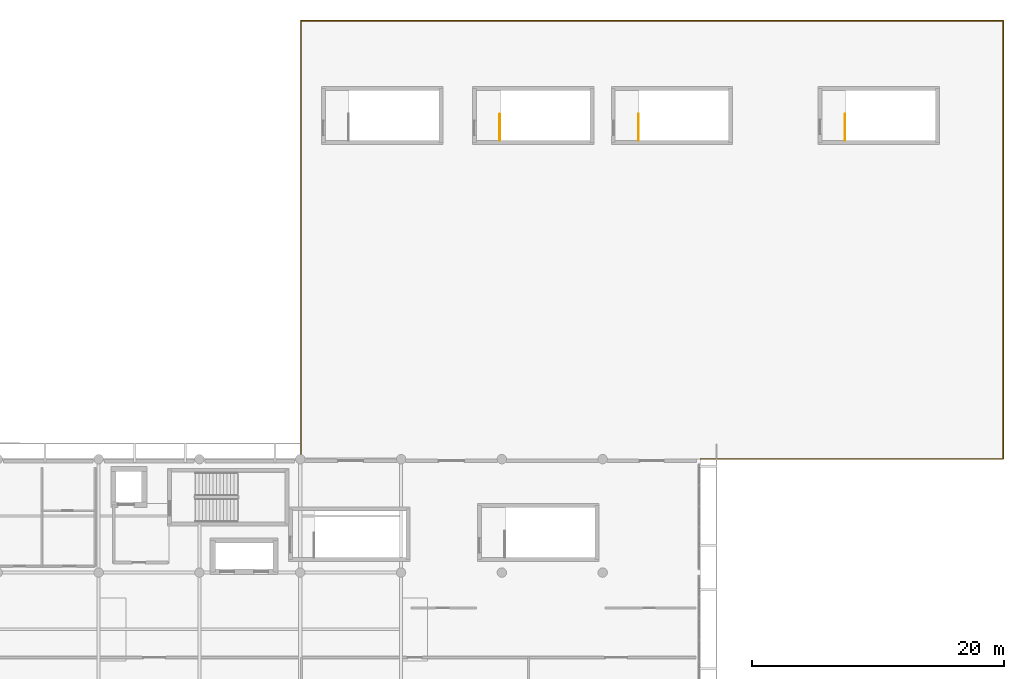
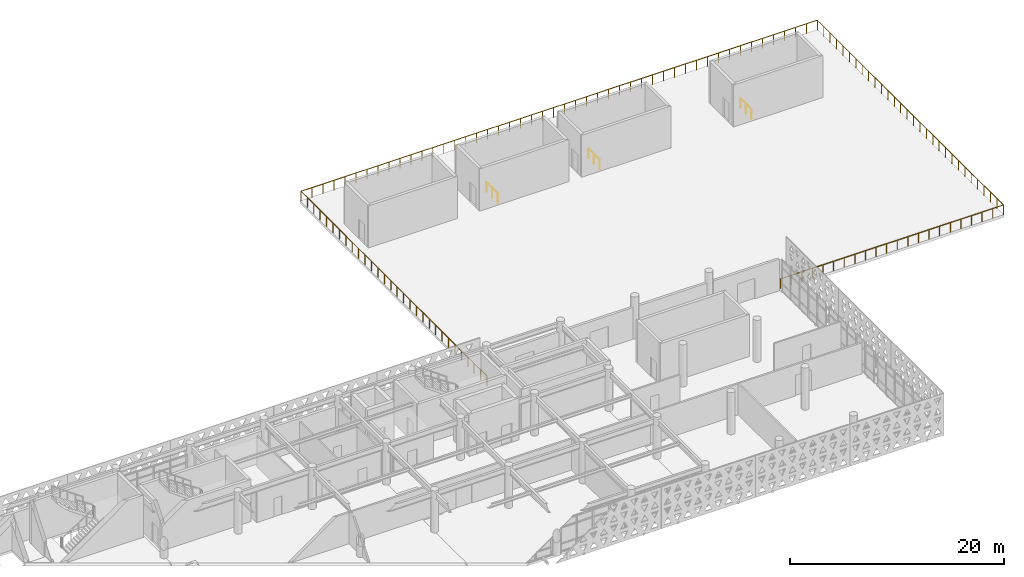
# One storey, part 33 of 33: 4 railings.
"""IFC4 building model written with IfcOpenShell, lengths in metres."""

import ifcopenshell
import ifcopenshell.guid

model = None  # the IFC model being written
_history = None  # IfcOwnerHistory: only IFC2X3 demands one
_inside = {}  # id of a spatial element -> (the spatial element, [elements in it])
_under = {}  # id of a project, library or spatial element -> (it, [spatial elements below it])
_declared = {}  # id of a project -> (the project, [libraries it declares])
_typed = {}  # id of a type object -> (the type object, [elements of that type])
_made_of = {}  # id of a material, layer set ... -> (it, [elements and type objects made of it])


def new_model(schema):
    """Start an empty IFC model of exactly this schema.

    Asked for "IFC4X3", IfcOpenShell would pick the latest addendum, in which some entities
    have other attributes; the version numbers below select the first issue.
    IFC2X3 requires an IfcOwnerHistory on every rooted entity: one is made here for all.
    """
    global model, _history
    if schema == "IFC4X3":
        model = ifcopenshell.file(schema_version=(4, 3, 0, 0))
    else:
        model = ifcopenshell.file(schema=schema)
    _inside.clear()
    _under.clear()
    _declared.clear()
    _typed.clear()
    _made_of.clear()
    _history = None
    if model.schema == "IFC2X3":
        org = make("IfcOrganization", Name="unknown")
        user = make(
            "IfcPersonAndOrganization",
            ThePerson=make("IfcPerson", FamilyName="unknown"),
            TheOrganization=org,
        )
        app = make(
            "IfcApplication",
            ApplicationDeveloper=org,
            Version="unknown",
            ApplicationFullName="unknown",
            ApplicationIdentifier="unknown",
        )
        _history = make(
            "IfcOwnerHistory",
            OwningUser=user,
            OwningApplication=app,
            ChangeAction="ADDED",
            CreationDate=0,
        )
    return model


def make(cls, **values):
    """One entity of the class cls with the attributes given. An attribute that is None is left unset."""
    return model.create_entity(
        cls, **{name: value for name, value in values.items() if value is not None}
    )


def rooted(cls, **values):
    """An entity with a GlobalId (a new one), such as an element, a storey or a relation."""
    return make(cls, GlobalId=ifcopenshell.guid.new(), OwnerHistory=_history, **values)


def si_unit(unit_type, name, prefix=None):
    """IfcSIUnit, for example si_unit("LENGTHUNIT", "METRE", prefix="MILLI")."""
    return make("IfcSIUnit", UnitType=unit_type, Prefix=prefix, Name=name)


def assignment(units):
    """IfcUnitAssignment: the units of a project."""
    return None if units is None else make("IfcUnitAssignment", Units=units)


def point(xyz):
    """IfcCartesianPoint."""
    return None if xyz is None else make("IfcCartesianPoint", Coordinates=xyz)


def direction(xyz):
    """IfcDirection."""
    return None if xyz is None else make("IfcDirection", DirectionRatios=xyz)


def frame(location, z_axis=None, x_axis=None):
    """IfcAxis2Placement3D, a coordinate frame: its origin and axes. An axis left out is left unset."""
    return make(
        "IfcAxis2Placement3D",
        Location=point(location),
        Axis=direction(z_axis),
        RefDirection=direction(x_axis),
    )


def frame_2d(location, x_axis=None):
    """IfcAxis2Placement2D, a coordinate frame in the plane: its origin and x axis."""
    return make(
        "IfcAxis2Placement2D", Location=point(location), RefDirection=direction(x_axis)
    )


def origin():
    """The frame at (0, 0, 0) with its axes left unset."""
    return frame((0.0, 0.0, 0.0))


def origin_2d():
    """The frame at (0, 0) in the plane with its x axis left unset."""
    return frame_2d((0.0, 0.0))


def place(relative_to, where):
    """IfcLocalPlacement: puts the frame where relative to a parent placement (None: the world)."""
    return make(
        "IfcLocalPlacement", PlacementRelTo=relative_to, RelativePlacement=where
    )


def context(
    kind, dimensions, precision=None, world=None, true_north=None, identifier=None
):
    """IfcGeometricRepresentationContext, for example the 3D "Model" context."""
    return make(
        "IfcGeometricRepresentationContext",
        ContextIdentifier=identifier,
        ContextType=kind,
        CoordinateSpaceDimension=dimensions,
        Precision=precision,
        WorldCoordinateSystem=world,
        TrueNorth=true_north,
    )


def subcontext(parent, identifier, kind, view, scale=None):
    """IfcGeometricRepresentationSubContext, for example "Body" below "Model"."""
    return make(
        "IfcGeometricRepresentationSubContext",
        ContextIdentifier=identifier,
        ContextType=kind,
        ParentContext=parent,
        TargetScale=scale,
        TargetView=view,
    )


def project(units=None, contexts=None):
    """IfcProject with its units and contexts."""
    return rooted(
        "IfcProject",
        Name="project",
        RepresentationContexts=contexts,
        UnitsInContext=assignment(units),
    )


def spatial(cls, under=None, at=None, **own):
    """A site, building, storey or space (cls), placed at a placement, below another one or the project."""
    s = rooted(cls, ObjectPlacement=at, **own)
    if under is not None:
        _under.setdefault(under.id(), (under, []))[1].append(s)
    return s


def profile(cls, at=None, kind="AREA", **sizes):
    """A parametric profile (cls). Its sizes go by their IFC names, for example OverallWidth=200.0."""
    return make(cls, ProfileType=kind, Position=at, **sizes)


def circle(**sizes):
    """IfcCircleProfileDef."""
    return profile("IfcCircleProfileDef", **sizes)


def extrude(swept, where, along, depth):
    """IfcExtrudedAreaSolid: the profile swept, set in the frame where, extruded along a direction by depth."""
    return make(
        "IfcExtrudedAreaSolid",
        SweptArea=swept,
        Position=where,
        ExtrudedDirection=direction(along),
        Depth=depth,
    )


def shape(context_of_items, identifier, shape_type, items):
    """IfcShapeRepresentation: the items that make up one representation, for example the "Body"."""
    return make(
        "IfcShapeRepresentation",
        ContextOfItems=context_of_items,
        RepresentationIdentifier=identifier,
        RepresentationType=shape_type,
        Items=items,
    )


def material(Name=None, Category=None):
    """IfcMaterial."""
    return make("IfcMaterial", Name=Name, Category=Category)


def made_of(thing, what):
    """Note that an element or type object is made of a material, layer set ...; save() writes the relation."""
    if what is not None:
        _made_of.setdefault(what.id(), (what, []))[1].append(thing)
    return thing


def type_object(cls, material=None, **own):
    """A type object (cls), such as IfcWallType, which elements share."""
    return made_of(rooted(cls, **own), material)


def element(
    cls,
    number,
    at=None,
    inside=None,
    cuts=None,
    type_object=None,
    material=None,
    context=None,
    identifier="Body",
    shape_type=None,
    held_by="IfcProductDefinitionShape",
    body=None,
    shapes=None,
    **own,
):
    """One element of the class cls, such as IfcWall. Its Tag is "e" and its number.

    at: its placement. inside: the storey or other place that contains it. cuts: it is an
    opening in that element (IfcRelVoidsElement). A single representation is given by context,
    identifier, shape_type and body (its items); several are given by shapes. held_by: the class
    of the entity that holds the representations. save() writes the other relations.
    """
    e = rooted(cls, Tag="e%d" % number, ObjectPlacement=at, **own)
    if body is not None:
        shapes = [shape(context, identifier, shape_type, body)]
    if shapes is not None:
        e.Representation = make(held_by, Representations=shapes)
    if inside is not None:
        _inside.setdefault(inside.id(), (inside, []))[1].append(e)
    if cuts is not None:
        rooted(
            "IfcRelVoidsElement", RelatingBuildingElement=cuts, RelatedOpeningElement=e
        )
    if type_object is not None:
        _typed.setdefault(type_object.id(), (type_object, []))[1].append(e)
    return made_of(e, material)


def aggregate(whole, parts):
    """IfcRelAggregates: a whole, such as a stair, and the parts it consists of."""
    return rooted("IfcRelAggregates", RelatingObject=whole, RelatedObjects=parts)


def save(model, path):
    """Write the relations noted so far, then the file.

    IfcRelAggregates (storeys below a building ...), IfcRelContainedInSpatialStructure (elements
    in a storey), IfcRelDefinesByType, IfcRelAssociatesMaterial and IfcRelDeclares: one each for
    every whole, place, type object, material and project.
    """
    for whole, parts in _under.values():
        aggregate(whole, parts)
    for where, things in _inside.values():
        rooted(
            "IfcRelContainedInSpatialStructure",
            RelatedElements=things,
            RelatingStructure=where,
        )
    for kind, things in _typed.values():
        rooted("IfcRelDefinesByType", RelatedObjects=things, RelatingType=kind)
    for what, things in _made_of.values():
        rooted("IfcRelAssociatesMaterial", RelatedObjects=things, RelatingMaterial=what)
    for by, libraries in _declared.values():
        rooted("IfcRelDeclares", RelatingContext=by, RelatedDefinitions=libraries)
    model.write(path)


model = new_model("IFC4")

# Units and contexts
model_context = context("Model", 3, precision=1e-05, world=origin(), true_north=direction((0.0, 1.0)))
body_context = subcontext(model_context, "Body", "Model", "MODEL_VIEW")
ifc_project = project(units=[si_unit("LENGTHUNIT", "METRE"), si_unit("AREAUNIT", "SQUARE_METRE"), si_unit("VOLUMEUNIT", "CUBIC_METRE"), si_unit("PLANEANGLEUNIT", "RADIAN"), si_unit("MASSUNIT", "GRAM", prefix="KILO")], contexts=[model_context])

# Site, building, storey
site_placement = place(None, origin())
site = spatial("IfcSite", under=ifc_project, at=site_placement, CompositionType="ELEMENT")
building_placement = place(site_placement, origin())
building = spatial("IfcBuilding", under=site, at=building_placement, Name="Tlacozan Convention Centre", CompositionType="ELEMENT")
storey_placement = place(building_placement, frame((0.0, 0.0, 16.199951171875)))
storey = spatial("IfcBuildingStorey", under=building, at=storey_placement, Name="L03", CompositionType="ELEMENT", Elevation=16.199951171875)

# Railings
ifc_material = material(Name="Architectural Painted Galvanised Steel Railing", Category="steel")
railing_type_1 = type_object("IfcRailingType", Name="Stair Well Guardrail 1100", PredefinedType="GUARDRAIL", material=ifc_material)
for number, where, name in (
    (1, (131.22998046875, 52.300048828125, 0.0), "L03 ST-03 top well guard 1"),
    (2, (103.830078125, 52.300048828125, 0.0), "L03 ST-17 top well guard 1"),
    (3, (114.830078125, 52.300048828125, 0.0), "L03 ST-18 top well guard 1"),
):
    element("IfcRailing", number, at=place(storey_placement, frame(where)), inside=storey, type_object=railing_type_1, Name=name, PredefinedType="GUARDRAIL", context=body_context, shape_type="SweptSolid", body=[
        extrude(circle(Radius=0.02392578125, at=origin_2d()), frame((0.0, 0.0, 1.076171875), z_axis=(0.0, 1.0, 0.0), x_axis=(-1.0, 0.0, 0.0)), (0.0, 0.0, 1.0), 2.079833984375),
        extrude(circle(Radius=0.02099609375, at=origin_2d()), origin(), (0.0, 0.0, 1.0), 1.052001953125),
        extrude(circle(Radius=0.02099609375, at=origin_2d()), frame((0.0, 1.0400390625, 0.0)), (0.0, 0.0, 1.0), 1.052001953125),
        extrude(circle(Radius=0.02099609375, at=origin_2d()), frame((0.0, 2.079833984375, 0.0)), (0.0, 0.0, 1.0), 1.052001953125),
    ])
railing_type_2 = type_object("IfcRailingType", Name="Terrace Perimeter Guardrail 1120", PredefinedType="GUARDRAIL", material=ifc_material)
railing_placement = place(storey_placement, frame((88.06005859375, 27.0, 0.0)))
element("IfcRailing", 4, at=railing_placement, inside=storey, type_object=railing_type_2, Name="L03 Prairie Roof Garden Perimeter Guardrail", PredefinedType="GUARDRAIL", context=body_context, shape_type="SweptSolid", body=[
    extrude(circle(Radius=0.02392578125, at=origin_2d()), frame((0.0, 0.0, 1.09619140625), z_axis=(0.0, 1.0, 0.0), x_axis=(-1.0, 0.0, 0.0)), (0.0, 0.0, 1.0), 34.7900390625),
    extrude(circle(Radius=0.02392578125, at=origin_2d()), frame((0.0, 34.7900390625, 1.09619140625), z_axis=(1.0, 0.0, 0.0), x_axis=(0.0, 1.0, 0.0)), (0.0, 0.0, 1.0), 55.72998046875),
    extrude(circle(Radius=0.02392578125, at=origin_2d()), frame((55.72998046875, 34.7900390625, 1.09619140625), z_axis=(0.0, -1.0, 0.0), x_axis=(1.0, 0.0, 0.0)), (0.0, 0.0, 1.0), 34.77001953125),
    extrude(circle(Radius=0.02392578125, at=origin_2d()), frame((55.72998046875, 0.02001953125, 1.09619140625), z_axis=(-1.0, 0.0, 0.0), x_axis=(0.0, -1.0, 0.0)), (0.0, 0.0, 1.0), 24.0400390625),
    extrude(circle(Radius=0.02099609375, at=origin_2d()), origin(), (0.0, 0.0, 1.0), 1.072021484375),
    extrude(circle(Radius=0.02099609375, at=origin_2d()), frame((0.0, 1.19970703125, 0.0)), (0.0, 0.0, 1.0), 1.072021484375),
    extrude(circle(Radius=0.02099609375, at=origin_2d()), frame((0.0, 2.3994140625, 0.0)), (0.0, 0.0, 1.0), 1.072021484375),
    extrude(circle(Radius=0.02099609375, at=origin_2d()), frame((0.0, 3.598876953125, 0.0)), (0.0, 0.0, 1.0), 1.072021484375),
    extrude(circle(Radius=0.02099609375, at=origin_2d()), frame((0.0, 4.798583984375, 0.0)), (0.0, 0.0, 1.0), 1.072021484375),
    extrude(circle(Radius=0.02099609375, at=origin_2d()), frame((0.0, 5.998291015625, 0.0)), (0.0, 0.0, 1.0), 1.072021484375),
    extrude(circle(Radius=0.02099609375, at=origin_2d()), frame((0.0, 7.197998046875, 0.0)), (0.0, 0.0, 1.0), 1.072021484375),
    extrude(circle(Radius=0.02099609375, at=origin_2d()), frame((0.0, 8.397705078125, 0.0)), (0.0, 0.0, 1.0), 1.072021484375),
    extrude(circle(Radius=0.02099609375, at=origin_2d()), frame((0.0, 9.59716796875, 0.0)), (0.0, 0.0, 1.0), 1.072021484375),
    extrude(circle(Radius=0.02099609375, at=origin_2d()), frame((0.0, 10.796875, 0.0)), (0.0, 0.0, 1.0), 1.072021484375),
    extrude(circle(Radius=0.02099609375, at=origin_2d()), frame((0.0, 11.99658203125, 0.0)), (0.0, 0.0, 1.0), 1.072021484375),
    extrude(circle(Radius=0.02099609375, at=origin_2d()), frame((0.0, 13.1962890625, 0.0)), (0.0, 0.0, 1.0), 1.072021484375),
    extrude(circle(Radius=0.02099609375, at=origin_2d()), frame((0.0, 14.39599609375, 0.0)), (0.0, 0.0, 1.0), 1.072021484375),
    extrude(circle(Radius=0.02099609375, at=origin_2d()), frame((0.0, 15.595458984375, 0.0)), (0.0, 0.0, 1.0), 1.072021484375),
    extrude(circle(Radius=0.02099609375, at=origin_2d()), frame((0.0, 16.795166015625, 0.0)), (0.0, 0.0, 1.0), 1.072021484375),
    extrude(circle(Radius=0.02099609375, at=origin_2d()), frame((0.0, 17.994873046875, 0.0)), (0.0, 0.0, 1.0), 1.072021484375),
    extrude(circle(Radius=0.02099609375, at=origin_2d()), frame((0.0, 19.194580078125, 0.0)), (0.0, 0.0, 1.0), 1.072021484375),
    extrude(circle(Radius=0.02099609375, at=origin_2d()), frame((0.0, 20.39404296875, 0.0)), (0.0, 0.0, 1.0), 1.072021484375),
    extrude(circle(Radius=0.02099609375, at=origin_2d()), frame((0.0, 21.59375, 0.0)), (0.0, 0.0, 1.0), 1.072021484375),
    extrude(circle(Radius=0.02099609375, at=origin_2d()), frame((0.0, 22.79345703125, 0.0)), (0.0, 0.0, 1.0), 1.072021484375),
    extrude(circle(Radius=0.02099609375, at=origin_2d()), frame((0.0, 23.9931640625, 0.0)), (0.0, 0.0, 1.0), 1.072021484375),
    extrude(circle(Radius=0.02099609375, at=origin_2d()), frame((0.0, 25.19287109375, 0.0)), (0.0, 0.0, 1.0), 1.072021484375),
    extrude(circle(Radius=0.02099609375, at=origin_2d()), frame((0.0, 26.392333984375, 0.0)), (0.0, 0.0, 1.0), 1.072021484375),
    extrude(circle(Radius=0.02099609375, at=origin_2d()), frame((0.0, 27.592041015625, 0.0)), (0.0, 0.0, 1.0), 1.072021484375),
    extrude(circle(Radius=0.02099609375, at=origin_2d()), frame((0.0, 28.791748046875, 0.0)), (0.0, 0.0, 1.0), 1.072021484375),
    extrude(circle(Radius=0.02099609375, at=origin_2d()), frame((0.0, 29.991455078125, 0.0)), (0.0, 0.0, 1.0), 1.072021484375),
    extrude(circle(Radius=0.02099609375, at=origin_2d()), frame((0.0, 31.191162109375, 0.0)), (0.0, 0.0, 1.0), 1.072021484375),
    extrude(circle(Radius=0.02099609375, at=origin_2d()), frame((0.0, 32.390625, 0.0)), (0.0, 0.0, 1.0), 1.072021484375),
    extrude(circle(Radius=0.02099609375, at=origin_2d()), frame((0.0, 33.59033203125, 0.0)), (0.0, 0.0, 1.0), 1.072021484375),
    extrude(circle(Radius=0.02099609375, at=origin_2d()), frame((0.0, 34.7900390625, 0.0)), (0.0, 0.0, 1.0), 1.072021484375),
    extrude(circle(Radius=0.02099609375, at=origin_2d()), frame((1.185791015625, 34.7900390625, 0.0)), (0.0, 0.0, 1.0), 1.072021484375),
    extrude(circle(Radius=0.02099609375, at=origin_2d()), frame((2.37158203125, 34.7900390625, 0.0)), (0.0, 0.0, 1.0), 1.072021484375),
    extrude(circle(Radius=0.02099609375, at=origin_2d()), frame((3.55712890625, 34.7900390625, 0.0)), (0.0, 0.0, 1.0), 1.072021484375),
    extrude(circle(Radius=0.02099609375, at=origin_2d()), frame((4.742919921875, 34.7900390625, 0.0)), (0.0, 0.0, 1.0), 1.072021484375),
    extrude(circle(Radius=0.02099609375, at=origin_2d()), frame((5.9287109375, 34.7900390625, 0.0)), (0.0, 0.0, 1.0), 1.072021484375),
    extrude(circle(Radius=0.02099609375, at=origin_2d()), frame((7.114501953125, 34.7900390625, 0.0)), (0.0, 0.0, 1.0), 1.072021484375),
    extrude(circle(Radius=0.02099609375, at=origin_2d()), frame((8.30029296875, 34.7900390625, 0.0)), (0.0, 0.0, 1.0), 1.072021484375),
    extrude(circle(Radius=0.02099609375, at=origin_2d()), frame((9.48583984375, 34.7900390625, 0.0)), (0.0, 0.0, 1.0), 1.072021484375),
    extrude(circle(Radius=0.02099609375, at=origin_2d()), frame((10.671630859375, 34.7900390625, 0.0)), (0.0, 0.0, 1.0), 1.072021484375),
    extrude(circle(Radius=0.02099609375, at=origin_2d()), frame((11.857421875, 34.7900390625, 0.0)), (0.0, 0.0, 1.0), 1.072021484375),
    extrude(circle(Radius=0.02099609375, at=origin_2d()), frame((13.043212890625, 34.7900390625, 0.0)), (0.0, 0.0, 1.0), 1.072021484375),
    extrude(circle(Radius=0.02099609375, at=origin_2d()), frame((14.22900390625, 34.7900390625, 0.0)), (0.0, 0.0, 1.0), 1.072021484375),
    extrude(circle(Radius=0.02099609375, at=origin_2d()), frame((15.414794921875, 34.7900390625, 0.0)), (0.0, 0.0, 1.0), 1.072021484375),
    extrude(circle(Radius=0.02099609375, at=origin_2d()), frame((16.600341796875, 34.7900390625, 0.0)), (0.0, 0.0, 1.0), 1.072021484375),
    extrude(circle(Radius=0.02099609375, at=origin_2d()), frame((17.7861328125, 34.7900390625, 0.0)), (0.0, 0.0, 1.0), 1.072021484375),
    extrude(circle(Radius=0.02099609375, at=origin_2d()), frame((18.971923828125, 34.7900390625, 0.0)), (0.0, 0.0, 1.0), 1.072021484375),
    extrude(circle(Radius=0.02099609375, at=origin_2d()), frame((20.15771484375, 34.7900390625, 0.0)), (0.0, 0.0, 1.0), 1.072021484375),
    extrude(circle(Radius=0.02099609375, at=origin_2d()), frame((21.343505859375, 34.7900390625, 0.0)), (0.0, 0.0, 1.0), 1.072021484375),
    extrude(circle(Radius=0.02099609375, at=origin_2d()), frame((22.529052734375, 34.7900390625, 0.0)), (0.0, 0.0, 1.0), 1.072021484375),
    extrude(circle(Radius=0.02099609375, at=origin_2d()), frame((23.71484375, 34.7900390625, 0.0)), (0.0, 0.0, 1.0), 1.072021484375),
    extrude(circle(Radius=0.02099609375, at=origin_2d()), frame((24.900634765625, 34.7900390625, 0.0)), (0.0, 0.0, 1.0), 1.072021484375),
    extrude(circle(Radius=0.02099609375, at=origin_2d()), frame((26.08642578125, 34.7900390625, 0.0)), (0.0, 0.0, 1.0), 1.072021484375),
    extrude(circle(Radius=0.02099609375, at=origin_2d()), frame((27.272216796875, 34.7900390625, 0.0)), (0.0, 0.0, 1.0), 1.072021484375),
    extrude(circle(Radius=0.02099609375, at=origin_2d()), frame((28.457763671875, 34.7900390625, 0.0)), (0.0, 0.0, 1.0), 1.072021484375),
    extrude(circle(Radius=0.02099609375, at=origin_2d()), frame((29.6435546875, 34.7900390625, 0.0)), (0.0, 0.0, 1.0), 1.072021484375),
    extrude(circle(Radius=0.02099609375, at=origin_2d()), frame((30.829345703125, 34.7900390625, 0.0)), (0.0, 0.0, 1.0), 1.072021484375),
    extrude(circle(Radius=0.02099609375, at=origin_2d()), frame((32.01513671875, 34.7900390625, 0.0)), (0.0, 0.0, 1.0), 1.072021484375),
    extrude(circle(Radius=0.02099609375, at=origin_2d()), frame((33.200927734375, 34.7900390625, 0.0)), (0.0, 0.0, 1.0), 1.072021484375),
    extrude(circle(Radius=0.02099609375, at=origin_2d()), frame((34.386474609375, 34.7900390625, 0.0)), (0.0, 0.0, 1.0), 1.072021484375),
    extrude(circle(Radius=0.02099609375, at=origin_2d()), frame((35.572265625, 34.7900390625, 0.0)), (0.0, 0.0, 1.0), 1.072021484375),
    extrude(circle(Radius=0.02099609375, at=origin_2d()), frame((36.758056640625, 34.7900390625, 0.0)), (0.0, 0.0, 1.0), 1.072021484375),
    extrude(circle(Radius=0.02099609375, at=origin_2d()), frame((37.94384765625, 34.7900390625, 0.0)), (0.0, 0.0, 1.0), 1.072021484375),
    extrude(circle(Radius=0.02099609375, at=origin_2d()), frame((39.129638671875, 34.7900390625, 0.0)), (0.0, 0.0, 1.0), 1.072021484375),
    extrude(circle(Radius=0.02099609375, at=origin_2d()), frame((40.315185546875, 34.7900390625, 0.0)), (0.0, 0.0, 1.0), 1.072021484375),
    extrude(circle(Radius=0.02099609375, at=origin_2d()), frame((41.5009765625, 34.7900390625, 0.0)), (0.0, 0.0, 1.0), 1.072021484375),
    extrude(circle(Radius=0.02099609375, at=origin_2d()), frame((42.686767578125, 34.7900390625, 0.0)), (0.0, 0.0, 1.0), 1.072021484375),
    extrude(circle(Radius=0.02099609375, at=origin_2d()), frame((43.87255859375, 34.7900390625, 0.0)), (0.0, 0.0, 1.0), 1.072021484375),
    extrude(circle(Radius=0.02099609375, at=origin_2d()), frame((45.058349609375, 34.7900390625, 0.0)), (0.0, 0.0, 1.0), 1.072021484375),
    extrude(circle(Radius=0.02099609375, at=origin_2d()), frame((46.244140625, 34.7900390625, 0.0)), (0.0, 0.0, 1.0), 1.072021484375),
    extrude(circle(Radius=0.02099609375, at=origin_2d()), frame((47.4296875, 34.7900390625, 0.0)), (0.0, 0.0, 1.0), 1.072021484375),
    extrude(circle(Radius=0.02099609375, at=origin_2d()), frame((48.615478515625, 34.7900390625, 0.0)), (0.0, 0.0, 1.0), 1.072021484375),
    extrude(circle(Radius=0.02099609375, at=origin_2d()), frame((49.80126953125, 34.7900390625, 0.0)), (0.0, 0.0, 1.0), 1.072021484375),
    extrude(circle(Radius=0.02099609375, at=origin_2d()), frame((50.987060546875, 34.7900390625, 0.0)), (0.0, 0.0, 1.0), 1.072021484375),
    extrude(circle(Radius=0.02099609375, at=origin_2d()), frame((52.1728515625, 34.7900390625, 0.0)), (0.0, 0.0, 1.0), 1.072021484375),
    extrude(circle(Radius=0.02099609375, at=origin_2d()), frame((53.3583984375, 34.7900390625, 0.0)), (0.0, 0.0, 1.0), 1.072021484375),
    extrude(circle(Radius=0.02099609375, at=origin_2d()), frame((54.544189453125, 34.7900390625, 0.0)), (0.0, 0.0, 1.0), 1.072021484375),
    extrude(circle(Radius=0.02099609375, at=origin_2d()), frame((55.72998046875, 34.7900390625, 0.0)), (0.0, 0.0, 1.0), 1.072021484375),
    extrude(circle(Radius=0.02099609375, at=origin_2d()), frame((55.72998046875, 33.591064453125, 0.0)), (0.0, 0.0, 1.0), 1.072021484375),
    extrude(circle(Radius=0.02099609375, at=origin_2d()), frame((55.72998046875, 32.39208984375, 0.0)), (0.0, 0.0, 1.0), 1.072021484375),
    extrude(circle(Radius=0.02099609375, at=origin_2d()), frame((55.72998046875, 31.193115234375, 0.0)), (0.0, 0.0, 1.0), 1.072021484375),
    extrude(circle(Radius=0.02099609375, at=origin_2d()), frame((55.72998046875, 29.994140625, 0.0)), (0.0, 0.0, 1.0), 1.072021484375),
    extrude(circle(Radius=0.02099609375, at=origin_2d()), frame((55.72998046875, 28.795166015625, 0.0)), (0.0, 0.0, 1.0), 1.072021484375),
    extrude(circle(Radius=0.02099609375, at=origin_2d()), frame((55.72998046875, 27.59619140625, 0.0)), (0.0, 0.0, 1.0), 1.072021484375),
    extrude(circle(Radius=0.02099609375, at=origin_2d()), frame((55.72998046875, 26.397216796875, 0.0)), (0.0, 0.0, 1.0), 1.072021484375),
    extrude(circle(Radius=0.02099609375, at=origin_2d()), frame((55.72998046875, 25.1982421875, 0.0)), (0.0, 0.0, 1.0), 1.072021484375),
    extrude(circle(Radius=0.02099609375, at=origin_2d()), frame((55.72998046875, 23.999267578125, 0.0)), (0.0, 0.0, 1.0), 1.072021484375),
    extrude(circle(Radius=0.02099609375, at=origin_2d()), frame((55.72998046875, 22.80029296875, 0.0)), (0.0, 0.0, 1.0), 1.072021484375),
    extrude(circle(Radius=0.02099609375, at=origin_2d()), frame((55.72998046875, 21.601318359375, 0.0)), (0.0, 0.0, 1.0), 1.072021484375),
    extrude(circle(Radius=0.02099609375, at=origin_2d()), frame((55.72998046875, 20.40234375, 0.0)), (0.0, 0.0, 1.0), 1.072021484375),
    extrude(circle(Radius=0.02099609375, at=origin_2d()), frame((55.72998046875, 19.203369140625, 0.0)), (0.0, 0.0, 1.0), 1.072021484375),
    extrude(circle(Radius=0.02099609375, at=origin_2d()), frame((55.72998046875, 18.00439453125, 0.0)), (0.0, 0.0, 1.0), 1.072021484375),
    extrude(circle(Radius=0.02099609375, at=origin_2d()), frame((55.72998046875, 16.8056640625, 0.0)), (0.0, 0.0, 1.0), 1.072021484375),
    extrude(circle(Radius=0.02099609375, at=origin_2d()), frame((55.72998046875, 15.606689453125, 0.0)), (0.0, 0.0, 1.0), 1.072021484375),
    extrude(circle(Radius=0.02099609375, at=origin_2d()), frame((55.72998046875, 14.40771484375, 0.0)), (0.0, 0.0, 1.0), 1.072021484375),
    extrude(circle(Radius=0.02099609375, at=origin_2d()), frame((55.72998046875, 13.208740234375, 0.0)), (0.0, 0.0, 1.0), 1.072021484375),
    extrude(circle(Radius=0.02099609375, at=origin_2d()), frame((55.72998046875, 12.009765625, 0.0)), (0.0, 0.0, 1.0), 1.072021484375),
    extrude(circle(Radius=0.02099609375, at=origin_2d()), frame((55.72998046875, 10.810791015625, 0.0)), (0.0, 0.0, 1.0), 1.072021484375),
    extrude(circle(Radius=0.02099609375, at=origin_2d()), frame((55.72998046875, 9.61181640625, 0.0)), (0.0, 0.0, 1.0), 1.072021484375),
    extrude(circle(Radius=0.02099609375, at=origin_2d()), frame((55.72998046875, 8.412841796875, 0.0)), (0.0, 0.0, 1.0), 1.072021484375),
    extrude(circle(Radius=0.02099609375, at=origin_2d()), frame((55.72998046875, 7.2138671875, 0.0)), (0.0, 0.0, 1.0), 1.072021484375),
    extrude(circle(Radius=0.02099609375, at=origin_2d()), frame((55.72998046875, 6.014892578125, 0.0)), (0.0, 0.0, 1.0), 1.072021484375),
    extrude(circle(Radius=0.02099609375, at=origin_2d()), frame((55.72998046875, 4.81591796875, 0.0)), (0.0, 0.0, 1.0), 1.072021484375),
    extrude(circle(Radius=0.02099609375, at=origin_2d()), frame((55.72998046875, 3.616943359375, 0.0)), (0.0, 0.0, 1.0), 1.072021484375),
    extrude(circle(Radius=0.02099609375, at=origin_2d()), frame((55.72998046875, 2.41796875, 0.0)), (0.0, 0.0, 1.0), 1.072021484375),
    extrude(circle(Radius=0.02099609375, at=origin_2d()), frame((55.72998046875, 1.218994140625, 0.0)), (0.0, 0.0, 1.0), 1.072021484375),
    extrude(circle(Radius=0.02099609375, at=origin_2d()), frame((55.72998046875, 0.02001953125, 0.0)), (0.0, 0.0, 1.0), 1.072021484375),
    extrude(circle(Radius=0.02099609375, at=origin_2d()), frame((54.585205078125, 0.02001953125, 0.0)), (0.0, 0.0, 1.0), 1.072021484375),
    extrude(circle(Radius=0.02099609375, at=origin_2d()), frame((53.4404296875, 0.02001953125, 0.0)), (0.0, 0.0, 1.0), 1.072021484375),
    extrude(circle(Radius=0.02099609375, at=origin_2d()), frame((52.295654296875, 0.02001953125, 0.0)), (0.0, 0.0, 1.0), 1.072021484375),
    extrude(circle(Radius=0.02099609375, at=origin_2d()), frame((51.15087890625, 0.02001953125, 0.0)), (0.0, 0.0, 1.0), 1.072021484375),
    extrude(circle(Radius=0.02099609375, at=origin_2d()), frame((50.006103515625, 0.02001953125, 0.0)), (0.0, 0.0, 1.0), 1.072021484375),
    extrude(circle(Radius=0.02099609375, at=origin_2d()), frame((48.861328125, 0.02001953125, 0.0)), (0.0, 0.0, 1.0), 1.072021484375),
    extrude(circle(Radius=0.02099609375, at=origin_2d()), frame((47.716552734375, 0.02001953125, 0.0)), (0.0, 0.0, 1.0), 1.072021484375),
    extrude(circle(Radius=0.02099609375, at=origin_2d()), frame((46.57177734375, 0.02001953125, 0.0)), (0.0, 0.0, 1.0), 1.072021484375),
    extrude(circle(Radius=0.02099609375, at=origin_2d()), frame((45.427001953125, 0.02001953125, 0.0)), (0.0, 0.0, 1.0), 1.072021484375),
    extrude(circle(Radius=0.02099609375, at=origin_2d()), frame((44.2822265625, 0.02001953125, 0.0)), (0.0, 0.0, 1.0), 1.072021484375),
    extrude(circle(Radius=0.02099609375, at=origin_2d()), frame((43.1376953125, 0.02001953125, 0.0)), (0.0, 0.0, 1.0), 1.072021484375),
    extrude(circle(Radius=0.02099609375, at=origin_2d()), frame((41.992919921875, 0.02001953125, 0.0)), (0.0, 0.0, 1.0), 1.072021484375),
    extrude(circle(Radius=0.02099609375, at=origin_2d()), frame((40.84814453125, 0.02001953125, 0.0)), (0.0, 0.0, 1.0), 1.072021484375),
    extrude(circle(Radius=0.02099609375, at=origin_2d()), frame((39.703369140625, 0.02001953125, 0.0)), (0.0, 0.0, 1.0), 1.072021484375),
    extrude(circle(Radius=0.02099609375, at=origin_2d()), frame((38.55859375, 0.02001953125, 0.0)), (0.0, 0.0, 1.0), 1.072021484375),
    extrude(circle(Radius=0.02099609375, at=origin_2d()), frame((37.413818359375, 0.02001953125, 0.0)), (0.0, 0.0, 1.0), 1.072021484375),
    extrude(circle(Radius=0.02099609375, at=origin_2d()), frame((36.26904296875, 0.02001953125, 0.0)), (0.0, 0.0, 1.0), 1.072021484375),
    extrude(circle(Radius=0.02099609375, at=origin_2d()), frame((35.124267578125, 0.02001953125, 0.0)), (0.0, 0.0, 1.0), 1.072021484375),
    extrude(circle(Radius=0.02099609375, at=origin_2d()), frame((33.9794921875, 0.02001953125, 0.0)), (0.0, 0.0, 1.0), 1.072021484375),
    extrude(circle(Radius=0.02099609375, at=origin_2d()), frame((32.834716796875, 0.02001953125, 0.0)), (0.0, 0.0, 1.0), 1.072021484375),
    extrude(circle(Radius=0.02099609375, at=origin_2d()), frame((31.68994140625, 0.02001953125, 0.0)), (0.0, 0.0, 1.0), 1.072021484375),
])

save(model, "model.ifc")
